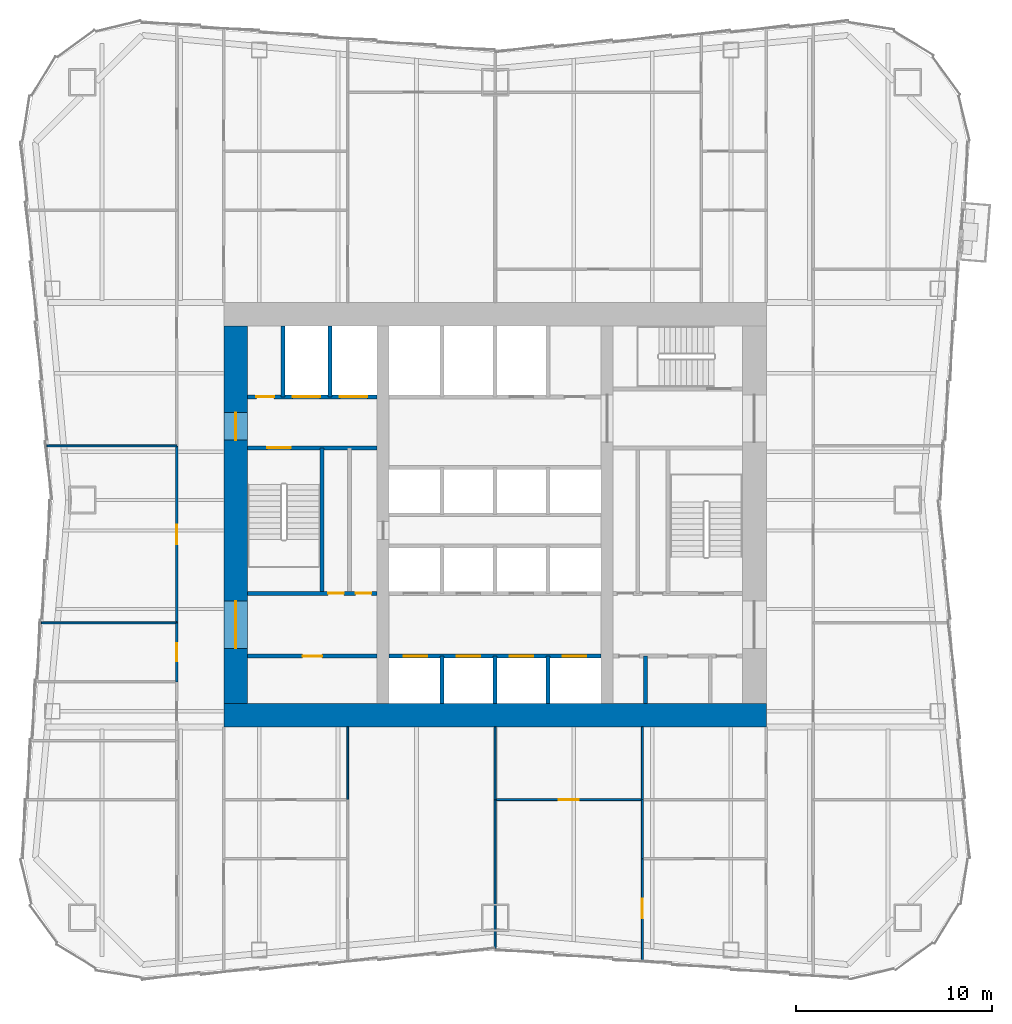
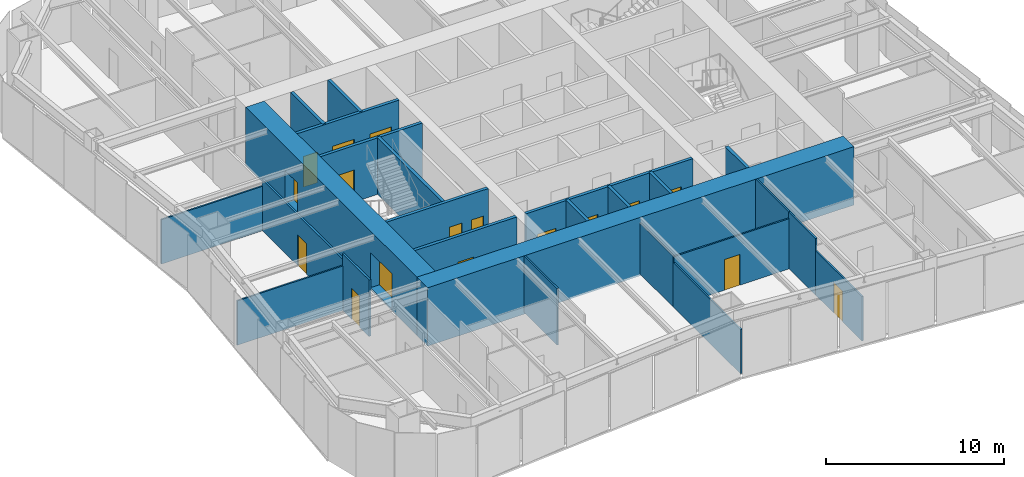
# One storey, part 4 of 9: 25 walls, 17 doors, 17 openings.
"""IFC4 building model written with IfcOpenShell, lengths in metres."""

import ifcopenshell
import ifcopenshell.guid

model = None  # the IFC model being written
_history = None  # IfcOwnerHistory: only IFC2X3 demands one
_inside = {}  # id of a spatial element -> (the spatial element, [elements in it])
_under = {}  # id of a project, library or spatial element -> (it, [spatial elements below it])
_declared = {}  # id of a project -> (the project, [libraries it declares])
_typed = {}  # id of a type object -> (the type object, [elements of that type])
_made_of = {}  # id of a material, layer set ... -> (it, [elements and type objects made of it])


def new_model(schema):
    """Start an empty IFC model of exactly this schema.

    Asked for "IFC4X3", IfcOpenShell would pick the latest addendum, in which some entities
    have other attributes; the version numbers below select the first issue.
    IFC2X3 requires an IfcOwnerHistory on every rooted entity: one is made here for all.
    """
    global model, _history
    if schema == "IFC4X3":
        model = ifcopenshell.file(schema_version=(4, 3, 0, 0))
    else:
        model = ifcopenshell.file(schema=schema)
    _inside.clear()
    _under.clear()
    _declared.clear()
    _typed.clear()
    _made_of.clear()
    _history = None
    if model.schema == "IFC2X3":
        org = make("IfcOrganization", Name="unknown")
        user = make(
            "IfcPersonAndOrganization",
            ThePerson=make("IfcPerson", FamilyName="unknown"),
            TheOrganization=org,
        )
        app = make(
            "IfcApplication",
            ApplicationDeveloper=org,
            Version="unknown",
            ApplicationFullName="unknown",
            ApplicationIdentifier="unknown",
        )
        _history = make(
            "IfcOwnerHistory",
            OwningUser=user,
            OwningApplication=app,
            ChangeAction="ADDED",
            CreationDate=0,
        )
    return model


def make(cls, **values):
    """One entity of the class cls with the attributes given. An attribute that is None is left unset."""
    return model.create_entity(
        cls, **{name: value for name, value in values.items() if value is not None}
    )


def rooted(cls, **values):
    """An entity with a GlobalId (a new one), such as an element, a storey or a relation."""
    return make(cls, GlobalId=ifcopenshell.guid.new(), OwnerHistory=_history, **values)


def si_unit(unit_type, name, prefix=None):
    """IfcSIUnit, for example si_unit("LENGTHUNIT", "METRE", prefix="MILLI")."""
    return make("IfcSIUnit", UnitType=unit_type, Prefix=prefix, Name=name)


def assignment(units):
    """IfcUnitAssignment: the units of a project."""
    return None if units is None else make("IfcUnitAssignment", Units=units)


def point(xyz):
    """IfcCartesianPoint."""
    return None if xyz is None else make("IfcCartesianPoint", Coordinates=xyz)


def direction(xyz):
    """IfcDirection."""
    return None if xyz is None else make("IfcDirection", DirectionRatios=xyz)


def frame(location, z_axis=None, x_axis=None):
    """IfcAxis2Placement3D, a coordinate frame: its origin and axes. An axis left out is left unset."""
    return make(
        "IfcAxis2Placement3D",
        Location=point(location),
        Axis=direction(z_axis),
        RefDirection=direction(x_axis),
    )


def frame_2d(location, x_axis=None):
    """IfcAxis2Placement2D, a coordinate frame in the plane: its origin and x axis."""
    return make(
        "IfcAxis2Placement2D", Location=point(location), RefDirection=direction(x_axis)
    )


def origin():
    """The frame at (0, 0, 0) with its axes left unset."""
    return frame((0.0, 0.0, 0.0))


def place(relative_to, where):
    """IfcLocalPlacement: puts the frame where relative to a parent placement (None: the world)."""
    return make(
        "IfcLocalPlacement", PlacementRelTo=relative_to, RelativePlacement=where
    )


def context(
    kind, dimensions, precision=None, world=None, true_north=None, identifier=None
):
    """IfcGeometricRepresentationContext, for example the 3D "Model" context."""
    return make(
        "IfcGeometricRepresentationContext",
        ContextIdentifier=identifier,
        ContextType=kind,
        CoordinateSpaceDimension=dimensions,
        Precision=precision,
        WorldCoordinateSystem=world,
        TrueNorth=true_north,
    )


def subcontext(parent, identifier, kind, view, scale=None):
    """IfcGeometricRepresentationSubContext, for example "Body" below "Model"."""
    return make(
        "IfcGeometricRepresentationSubContext",
        ContextIdentifier=identifier,
        ContextType=kind,
        ParentContext=parent,
        TargetScale=scale,
        TargetView=view,
    )


def project(units=None, contexts=None):
    """IfcProject with its units and contexts."""
    return rooted(
        "IfcProject",
        Name="project",
        RepresentationContexts=contexts,
        UnitsInContext=assignment(units),
    )


def spatial(cls, under=None, at=None, **own):
    """A site, building, storey or space (cls), placed at a placement, below another one or the project."""
    s = rooted(cls, ObjectPlacement=at, **own)
    if under is not None:
        _under.setdefault(under.id(), (under, []))[1].append(s)
    return s


def profile(cls, at=None, kind="AREA", **sizes):
    """A parametric profile (cls). Its sizes go by their IFC names, for example OverallWidth=200.0."""
    return make(cls, ProfileType=kind, Position=at, **sizes)


def rectangle(**sizes):
    """IfcRectangleProfileDef."""
    return profile("IfcRectangleProfileDef", **sizes)


def extrude(swept, where, along, depth):
    """IfcExtrudedAreaSolid: the profile swept, set in the frame where, extruded along a direction by depth."""
    return make(
        "IfcExtrudedAreaSolid",
        SweptArea=swept,
        Position=where,
        ExtrudedDirection=direction(along),
        Depth=depth,
    )


def shape(context_of_items, identifier, shape_type, items):
    """IfcShapeRepresentation: the items that make up one representation, for example the "Body"."""
    return make(
        "IfcShapeRepresentation",
        ContextOfItems=context_of_items,
        RepresentationIdentifier=identifier,
        RepresentationType=shape_type,
        Items=items,
    )


def material(Name=None, Category=None):
    """IfcMaterial."""
    return make("IfcMaterial", Name=Name, Category=Category)


def layer(
    of_material, thickness, ventilated=None, Name=None, Category=None, Priority=None
):
    """IfcMaterialLayer: one layer of a wall or slab, of a material (None: an air gap)."""
    return make(
        "IfcMaterialLayer",
        Material=of_material,
        LayerThickness=thickness,
        IsVentilated=ventilated,
        Name=Name,
        Category=Category,
        Priority=Priority,
    )


def layer_set(layers, Name=None):
    """IfcMaterialLayerSet."""
    return make("IfcMaterialLayerSet", MaterialLayers=layers, LayerSetName=Name)


def made_of(thing, what):
    """Note that an element or type object is made of a material, layer set ...; save() writes the relation."""
    if what is not None:
        _made_of.setdefault(what.id(), (what, []))[1].append(thing)
    return thing


def type_object(cls, material=None, **own):
    """A type object (cls), such as IfcWallType, which elements share."""
    return made_of(rooted(cls, **own), material)


def element(
    cls,
    number,
    at=None,
    inside=None,
    cuts=None,
    type_object=None,
    material=None,
    context=None,
    identifier="Body",
    shape_type=None,
    held_by="IfcProductDefinitionShape",
    body=None,
    shapes=None,
    **own,
):
    """One element of the class cls, such as IfcWall. Its Tag is "e" and its number.

    at: its placement. inside: the storey or other place that contains it. cuts: it is an
    opening in that element (IfcRelVoidsElement). A single representation is given by context,
    identifier, shape_type and body (its items); several are given by shapes. held_by: the class
    of the entity that holds the representations. save() writes the other relations.
    """
    e = rooted(cls, Tag="e%d" % number, ObjectPlacement=at, **own)
    if body is not None:
        shapes = [shape(context, identifier, shape_type, body)]
    if shapes is not None:
        e.Representation = make(held_by, Representations=shapes)
    if inside is not None:
        _inside.setdefault(inside.id(), (inside, []))[1].append(e)
    if cuts is not None:
        rooted(
            "IfcRelVoidsElement", RelatingBuildingElement=cuts, RelatedOpeningElement=e
        )
    if type_object is not None:
        _typed.setdefault(type_object.id(), (type_object, []))[1].append(e)
    return made_of(e, material)


def fill(opening, filler):
    """IfcRelFillsElement: the door or window that sits in an opening."""
    return rooted(
        "IfcRelFillsElement",
        RelatingOpeningElement=opening,
        RelatedBuildingElement=filler,
    )


def aggregate(whole, parts):
    """IfcRelAggregates: a whole, such as a stair, and the parts it consists of."""
    return rooted("IfcRelAggregates", RelatingObject=whole, RelatedObjects=parts)


def save(model, path):
    """Write the relations noted so far, then the file.

    IfcRelAggregates (storeys below a building ...), IfcRelContainedInSpatialStructure (elements
    in a storey), IfcRelDefinesByType, IfcRelAssociatesMaterial and IfcRelDeclares: one each for
    every whole, place, type object, material and project.
    """
    for whole, parts in _under.values():
        aggregate(whole, parts)
    for where, things in _inside.values():
        rooted(
            "IfcRelContainedInSpatialStructure",
            RelatedElements=things,
            RelatingStructure=where,
        )
    for kind, things in _typed.values():
        rooted("IfcRelDefinesByType", RelatedObjects=things, RelatingType=kind)
    for what, things in _made_of.values():
        rooted("IfcRelAssociatesMaterial", RelatedObjects=things, RelatingMaterial=what)
    for by, libraries in _declared.values():
        rooted("IfcRelDeclares", RelatingContext=by, RelatedDefinitions=libraries)
    model.write(path)


model = new_model("IFC4")

# Units and contexts
model_context = context("Model", 3, precision=1e-05, world=origin(), true_north=direction((0.0, 1.0)))
body_context = subcontext(model_context, "Body", "Model", "MODEL_VIEW")
ifc_project = project(units=[si_unit("LENGTHUNIT", "METRE"), si_unit("AREAUNIT", "SQUARE_METRE"), si_unit("VOLUMEUNIT", "CUBIC_METRE"), si_unit("PLANEANGLEUNIT", "RADIAN"), si_unit("MASSUNIT", "GRAM", prefix="KILO")], contexts=[model_context])

# Site, building, storey
site_placement = place(None, origin())
site = spatial("IfcSite", under=ifc_project, at=site_placement, CompositionType="ELEMENT")
building_placement = place(site_placement, origin())
building = spatial("IfcBuilding", under=site, at=building_placement, Name="Verdant Reach Tower", CompositionType="ELEMENT")
storey_placement = place(building_placement, frame((0.0, 0.0, 98.0)))
storey = spatial("IfcBuildingStorey", under=building, at=storey_placement, Name="L22", CompositionType="ELEMENT", Elevation=98.0)

# Wall, opening, door
ifc_material_1 = material(Name="Gypsum board on steel studs", Category="steel")
ifc_layer_1 = layer(ifc_material_1, 0.199951171875)
ifc_layer_set_1 = layer_set([ifc_layer_1], Name="CO-WALL-ROOM")
wall_type_1 = type_object("IfcWallType", Name="CO-WALL-ROOM", PredefinedType="PARTITIONING", material=ifc_layer_set_1)
wall_1_placement = place(storey_placement, frame((-12.60009765625, 20.800048828125, 0.0), z_axis=(0.0, 0.0, 1.0), x_axis=(1.0, 0.0, 0.0)))
wall_1 = element("IfcWall", 1, at=wall_1_placement, inside=storey, type_object=wall_type_1, Name="Core partition, L22", PredefinedType="PARTITIONING", context=body_context, shape_type="SweptSolid", body=[
    extrude(rectangle(XDim=6.60009765625, YDim=0.199951171875, at=frame_2d((3.300048828125, 0.0))), origin(), (0.0, 0.0, 1.0), 3.8701171875),
])
opening_1_placement = place(wall_1_placement, frame((2.800048828125, 0.0, 0.0)))
opening_1 = element("IfcOpeningElement", 2, at=opening_1_placement, cuts=wall_1, Name="Opening CD", PredefinedType="OPENING", context=body_context, shape_type="SweptSolid", body=[
    extrude(rectangle(XDim=1.0, YDim=2.10009765625, at=frame_2d((0.5, 1.050048828125))), frame((0.0, 0.10986328125, 0.0), z_axis=(0.0, -1.0, 0.0), x_axis=(1.0, 0.0, 0.0)), (0.0, 0.0, 1.0), 0.219970703125),
])
ifc_material_2 = material(Name="Timber", Category="wood")
door_type_1 = type_object("IfcDoorType", Name="CO-DOOR-ROOM", OperationType="NOTDEFINED", PredefinedType="DOOR", material=ifc_material_2)
door_1_placement = place(opening_1_placement, origin())
door_1 = element("IfcDoor", 3, at=door_1_placement, inside=storey, type_object=door_type_1, Name="Core room door, L22", OperationType="SINGLE_SWING_LEFT", OverallHeight=2.10009765625, OverallWidth=1.0, PredefinedType="DOOR", context=body_context, shape_type="SweptSolid", body=[
    extrude(rectangle(XDim=1.0, YDim=2.10009765625, at=frame_2d((0.5, 1.050048828125))), frame((0.0, 0.02490234375, 0.0), z_axis=(0.0, -1.0, 0.0), x_axis=(1.0, 0.0, 0.0)), (0.0, 0.0, 1.0), 0.050048828125),
])
fill(opening_1, door_1)

# Wall
wall_2_placement = place(storey_placement, frame((7.64990234375, 18.39990234375, 0.0), z_axis=(0.0, 0.0, 1.0), x_axis=(0.0, 1.0, 0.0)))
element("IfcWall", 4, at=wall_2_placement, inside=storey, type_object=wall_type_1, Name="Core partition, L22", PredefinedType="PARTITIONING", context=body_context, shape_type="SweptSolid", body=[
    extrude(rectangle(XDim=2.400146484375, YDim=0.199951171875, at=frame_2d((1.2001953125, 0.0))), origin(), (0.0, 0.0, 1.0), 3.8701171875),
])

# Wall, openings, doors
ifc_material_3 = material(Name="Concrete C40/50", Category="concrete")
ifc_layer_2 = layer(ifc_material_3, 0.199951171875)
ifc_layer_set_2 = layer_set([ifc_layer_2], Name="CO-WALL-SHAFT")
wall_type_2 = type_object("IfcWallType", Name="CO-WALL-SHAFT", PredefinedType="PARTITIONING", material=ifc_layer_set_2)
wall_3_placement = place(storey_placement, frame((-5.39990234375, 20.800048828125, 0.0), z_axis=(0.0, 0.0, 1.0), x_axis=(1.0, 0.0, 0.0)))
wall_3 = element("IfcWall", 5, at=wall_3_placement, inside=storey, type_object=wall_type_2, Name="Lift shaft wall, L22", PredefinedType="PARTITIONING", context=body_context, shape_type="SweptSolid", body=[
    extrude(rectangle(XDim=10.7998046875, YDim=0.199951171875, at=frame_2d((5.39990234375, 0.0))), origin(), (0.0, 0.0, 1.0), 3.8701171875),
])
opening_2_placement = place(wall_3_placement, frame((0.75, 0.0, 0.0)))
opening_2 = element("IfcOpeningElement", 6, at=opening_2_placement, cuts=wall_3, Name="Opening LD-A1", PredefinedType="OPENING", context=body_context, shape_type="SweptSolid", body=[
    extrude(rectangle(XDim=1.199951171875, YDim=2.199951171875, at=frame_2d((0.60009765625, 1.10009765625))), frame((0.0, 0.10986328125, 0.0), z_axis=(0.0, -1.0, 0.0), x_axis=(1.0, 0.0, 0.0)), (0.0, 0.0, 1.0), 0.219970703125),
])
opening_3_placement = place(wall_3_placement, frame((3.449951171875, 0.0, 0.0)))
opening_3 = element("IfcOpeningElement", 7, at=opening_3_placement, cuts=wall_3, Name="Opening LD-A2", PredefinedType="OPENING", context=body_context, shape_type="SweptSolid", body=[
    extrude(rectangle(XDim=1.199951171875, YDim=2.199951171875, at=frame_2d((0.60009765625, 1.10009765625))), frame((0.0, 0.10986328125, 0.0), z_axis=(0.0, -1.0, 0.0), x_axis=(1.0, 0.0, 0.0)), (0.0, 0.0, 1.0), 0.219970703125),
])
opening_4_placement = place(wall_3_placement, frame((6.14990234375, 0.0, 0.0)))
opening_4 = element("IfcOpeningElement", 8, at=opening_4_placement, cuts=wall_3, Name="Opening LD-A3", PredefinedType="OPENING", context=body_context, shape_type="SweptSolid", body=[
    extrude(rectangle(XDim=1.199951171875, YDim=2.199951171875, at=frame_2d((0.60009765625, 1.10009765625))), frame((0.0, 0.10986328125, 0.0), z_axis=(0.0, -1.0, 0.0), x_axis=(1.0, 0.0, 0.0)), (0.0, 0.0, 1.0), 0.219970703125),
])
opening_5_placement = place(wall_3_placement, frame((8.85009765625, 0.0, 0.0)))
opening_5 = element("IfcOpeningElement", 9, at=opening_5_placement, cuts=wall_3, Name="Opening LD-A4", PredefinedType="OPENING", context=body_context, shape_type="SweptSolid", body=[
    extrude(rectangle(XDim=1.199951171875, YDim=2.199951171875, at=frame_2d((0.60009765625, 1.10009765625))), frame((0.0, 0.10986328125, 0.0), z_axis=(0.0, -1.0, 0.0), x_axis=(1.0, 0.0, 0.0)), (0.0, 0.0, 1.0), 0.219970703125),
])
ifc_material_4 = material(Name="Stainless steel", Category="steel")
door_type_2 = type_object("IfcDoorType", Name="CO-DOOR-LANDING", OperationType="SLIDING_TO_LEFT", PredefinedType="DOOR", material=ifc_material_4)
door_2_placement = place(opening_2_placement, origin())
door_2 = element("IfcDoor", 10, at=door_2_placement, inside=storey, type_object=door_type_2, Name="Landing door A1, L22", OperationType="SLIDING_TO_LEFT", OverallHeight=2.199951171875, OverallWidth=1.199951171875, PredefinedType="DOOR", context=body_context, shape_type="SweptSolid", body=[
    extrude(rectangle(XDim=1.199951171875, YDim=2.199951171875, at=frame_2d((0.60009765625, 1.10009765625))), frame((0.0, 0.02490234375, 0.0), z_axis=(0.0, -1.0, 0.0), x_axis=(1.0, 0.0, 0.0)), (0.0, 0.0, 1.0), 0.050048828125),
])
fill(opening_2, door_2)
door_3_placement = place(opening_3_placement, origin())
door_3 = element("IfcDoor", 11, at=door_3_placement, inside=storey, type_object=door_type_2, Name="Landing door A2, L22", OperationType="SLIDING_TO_LEFT", OverallHeight=2.199951171875, OverallWidth=1.199951171875, PredefinedType="DOOR", context=body_context, shape_type="SweptSolid", body=[
    extrude(rectangle(XDim=1.199951171875, YDim=2.199951171875, at=frame_2d((0.60009765625, 1.10009765625))), frame((0.0, 0.02490234375, 0.0), z_axis=(0.0, -1.0, 0.0), x_axis=(1.0, 0.0, 0.0)), (0.0, 0.0, 1.0), 0.050048828125),
])
fill(opening_3, door_3)
door_4_placement = place(opening_4_placement, origin())
door_4 = element("IfcDoor", 12, at=door_4_placement, inside=storey, type_object=door_type_2, Name="Landing door A3, L22", OperationType="SLIDING_TO_LEFT", OverallHeight=2.199951171875, OverallWidth=1.199951171875, PredefinedType="DOOR", context=body_context, shape_type="SweptSolid", body=[
    extrude(rectangle(XDim=1.199951171875, YDim=2.199951171875, at=frame_2d((0.60009765625, 1.10009765625))), frame((0.0, 0.02490234375, 0.0), z_axis=(0.0, -1.0, 0.0), x_axis=(1.0, 0.0, 0.0)), (0.0, 0.0, 1.0), 0.050048828125),
])
fill(opening_4, door_4)
door_5_placement = place(opening_5_placement, origin())
door_5 = element("IfcDoor", 13, at=door_5_placement, inside=storey, type_object=door_type_2, Name="Landing door A4, L22", OperationType="SLIDING_TO_LEFT", OverallHeight=2.199951171875, OverallWidth=1.199951171875, PredefinedType="DOOR", context=body_context, shape_type="SweptSolid", body=[
    extrude(rectangle(XDim=1.199951171875, YDim=2.199951171875, at=frame_2d((0.60009765625, 1.10009765625))), frame((0.0, 0.02490234375, 0.0), z_axis=(0.0, -1.0, 0.0), x_axis=(1.0, 0.0, 0.0)), (0.0, 0.0, 1.0), 0.050048828125),
])
fill(opening_5, door_5)

wall_4_placement = place(storey_placement, frame((-12.60009765625, 34.0, 0.0), z_axis=(0.0, 0.0, 1.0), x_axis=(1.0, 0.0, 0.0)))
wall_4 = element("IfcWall", 14, at=wall_4_placement, inside=storey, type_object=wall_type_2, Name="Lift shaft wall, L22", PredefinedType="PARTITIONING", context=body_context, shape_type="SweptSolid", body=[
    extrude(rectangle(XDim=6.60009765625, YDim=0.199951171875, at=frame_2d((3.300048828125, 0.0))), origin(), (0.0, 0.0, 1.0), 3.8701171875),
])
opening_6_placement = place(wall_4_placement, frame((4.699951171875, 0.0, 0.0)))
opening_6 = element("IfcOpeningElement", 15, at=opening_6_placement, cuts=wall_4, Name="Opening LD-F1", PredefinedType="OPENING", context=body_context, shape_type="SweptSolid", body=[
    extrude(rectangle(XDim=1.39990234375, YDim=2.199951171875, at=frame_2d((0.699951171875, 1.10009765625))), frame((0.0, 0.10986328125, 0.0), z_axis=(0.0, -1.0, 0.0), x_axis=(1.0, 0.0, 0.0)), (0.0, 0.0, 1.0), 0.219970703125),
])
opening_7_placement = place(wall_4_placement, frame((2.300048828125, 0.0, 0.0)))
opening_7 = element("IfcOpeningElement", 16, at=opening_7_placement, cuts=wall_4, Name="Opening LD-F2", PredefinedType="OPENING", context=body_context, shape_type="SweptSolid", body=[
    extrude(rectangle(XDim=1.39990234375, YDim=2.199951171875, at=frame_2d((0.699951171875, 1.10009765625))), frame((0.0, 0.10986328125, 0.0), z_axis=(0.0, -1.0, 0.0), x_axis=(1.0, 0.0, 0.0)), (0.0, 0.0, 1.0), 0.219970703125),
])
opening_8_placement = place(wall_4_placement, frame((0.449951171875, 0.0, 0.0)))
opening_8 = element("IfcOpeningElement", 17, at=opening_8_placement, cuts=wall_4, Name="Opening RD", PredefinedType="OPENING", context=body_context, shape_type="SweptSolid", body=[
    extrude(rectangle(XDim=0.89990234375, YDim=2.10009765625, at=frame_2d((0.449951171875, 1.050048828125))), frame((0.0, 0.10986328125, 0.0), z_axis=(0.0, -1.0, 0.0), x_axis=(1.0, 0.0, 0.0)), (0.0, 0.0, 1.0), 0.219970703125),
])
door_type_3 = type_object("IfcDoorType", Name="CO-DOOR-LANDING-FF", OperationType="SLIDING_TO_LEFT", PredefinedType="DOOR", material=ifc_material_4)
door_6_placement = place(opening_6_placement, origin())
door_6 = element("IfcDoor", 18, at=door_6_placement, inside=storey, type_object=door_type_3, Name="Landing door F1, L22", OperationType="SLIDING_TO_LEFT", OverallHeight=2.199951171875, OverallWidth=1.39990234375, PredefinedType="DOOR", context=body_context, shape_type="SweptSolid", body=[
    extrude(rectangle(XDim=1.39990234375, YDim=2.199951171875, at=frame_2d((0.699951171875, 1.10009765625))), frame((0.0, 0.02490234375, 0.0), z_axis=(0.0, -1.0, 0.0), x_axis=(1.0, 0.0, 0.0)), (0.0, 0.0, 1.0), 0.050048828125),
])
fill(opening_6, door_6)
door_7_placement = place(opening_7_placement, origin())
door_7 = element("IfcDoor", 19, at=door_7_placement, inside=storey, type_object=door_type_3, Name="Landing door F2, L22", OperationType="SLIDING_TO_LEFT", OverallHeight=2.199951171875, OverallWidth=1.39990234375, PredefinedType="DOOR", context=body_context, shape_type="SweptSolid", body=[
    extrude(rectangle(XDim=1.39990234375, YDim=2.199951171875, at=frame_2d((0.699951171875, 1.10009765625))), frame((0.0, 0.02490234375, 0.0), z_axis=(0.0, -1.0, 0.0), x_axis=(1.0, 0.0, 0.0)), (0.0, 0.0, 1.0), 0.050048828125),
])
fill(opening_7, door_7)
ifc_material_5 = material(Name="Steel", Category="steel")
door_type_4 = type_object("IfcDoorType", Name="CO-DOOR-RISER", OperationType="NOTDEFINED", PredefinedType="DOOR", material=ifc_material_5)
door_8_placement = place(opening_8_placement, origin())
door_8 = element("IfcDoor", 20, at=door_8_placement, inside=storey, type_object=door_type_4, Name="Core room door, L22", OperationType="SINGLE_SWING_RIGHT", OverallHeight=2.10009765625, OverallWidth=0.89990234375, PredefinedType="DOOR", context=body_context, shape_type="SweptSolid", body=[
    extrude(rectangle(XDim=0.89990234375, YDim=2.10009765625, at=frame_2d((0.449951171875, 1.050048828125))), frame((0.0, 0.02490234375, 0.0), z_axis=(0.0, -1.0, 0.0), x_axis=(1.0, 0.0, 0.0)), (0.0, 0.0, 1.0), 0.050048828125),
])
fill(opening_8, door_8)

# Walls
for number, where, z_axis, x_axis, name in (
    (21, (-10.800048828125, 34.0, 0.0), (0.0, 0.0, 1.0), (0.0, 1.0, 0.0), "Lift shaft wall, L22"),
    (22, (-8.39990234375, 34.0, 0.0), (0.0, 0.0, 1.0), (0.0, 1.0, 0.0), "Lift shaft wall, L22"),
):
    element("IfcWall", number, at=place(storey_placement, frame(where, z_axis=z_axis, x_axis=x_axis)), inside=storey, type_object=wall_type_2, Name=name, PredefinedType="PARTITIONING", context=body_context, shape_type="SweptSolid", body=[
        extrude(rectangle(XDim=3.60009765625, YDim=0.199951171875, at=frame_2d((1.800048828125, 0.0))), origin(), (0.0, 0.0, 1.0), 3.8701171875),
    ])
for number, where, z_axis, x_axis, name in (
    (23, (-2.699951171875, 18.39990234375, 0.0), (0.0, 0.0, 1.0), (0.0, 1.0, 0.0), "Lift shaft wall, L22"),
    (24, (0.0, 18.39990234375, 0.0), (0.0, 0.0, 1.0), (0.0, 1.0, 0.0), "Lift shaft wall, L22"),
    (25, (2.699951171875, 18.39990234375, 0.0), (0.0, 0.0, 1.0), (0.0, 1.0, 0.0), "Lift shaft wall, L22"),
):
    element("IfcWall", number, at=place(storey_placement, frame(where, z_axis=z_axis, x_axis=x_axis)), inside=storey, type_object=wall_type_2, Name=name, PredefinedType="PARTITIONING", context=body_context, shape_type="SweptSolid", body=[
        extrude(rectangle(XDim=2.400146484375, YDim=0.199951171875, at=frame_2d((1.2001953125, 0.0))), origin(), (0.0, 0.0, 1.0), 3.8701171875),
    ])

# Wall, openings, doors
ifc_layer_3 = layer(ifc_material_3, 0.199951171875)
ifc_layer_set_3 = layer_set([ifc_layer_3], Name="CO-WALL-STAIR")
wall_type_3 = type_object("IfcWallType", Name="CO-WALL-STAIR", PredefinedType="PARTITIONING", material=ifc_layer_set_3)
wall_5_placement = place(storey_placement, frame((-12.60009765625, 24.0, 0.0), z_axis=(0.0, 0.0, 1.0), x_axis=(1.0, 0.0, 0.0)))
wall_5 = element("IfcWall", 26, at=wall_5_placement, inside=storey, type_object=wall_type_3, Name="Stair enclosure wall, L22", PredefinedType="PARTITIONING", context=body_context, shape_type="SweptSolid", body=[
    extrude(rectangle(XDim=6.60009765625, YDim=0.199951171875, at=frame_2d((3.300048828125, 0.0))), origin(), (0.0, 0.0, 1.0), 3.8701171875),
])
opening_9_placement = place(wall_5_placement, frame((4.10009765625, 0.0, 0.0)))
opening_9 = element("IfcOpeningElement", 27, at=opening_9_placement, cuts=wall_5, Name="Opening CDN", PredefinedType="OPENING", context=body_context, shape_type="SweptSolid", body=[
    extrude(rectangle(XDim=0.800048828125, YDim=2.10009765625, at=frame_2d((0.39990234375, 1.050048828125))), frame((0.0, 0.10986328125, 0.0), z_axis=(0.0, -1.0, 0.0), x_axis=(1.0, 0.0, 0.0)), (0.0, 0.0, 1.0), 0.219970703125),
])
opening_10_placement = place(wall_5_placement, frame((5.5, 0.0, 0.0)))
opening_10 = element("IfcOpeningElement", 28, at=opening_10_placement, cuts=wall_5, Name="Opening CDN", PredefinedType="OPENING", context=body_context, shape_type="SweptSolid", body=[
    extrude(rectangle(XDim=0.800048828125, YDim=2.10009765625, at=frame_2d((0.39990234375, 1.050048828125))), frame((0.0, 0.10986328125, 0.0), z_axis=(0.0, -1.0, 0.0), x_axis=(1.0, 0.0, 0.0)), (0.0, 0.0, 1.0), 0.219970703125),
])
door_type_5 = type_object("IfcDoorType", Name="CO-DOOR-ROOM-NARROW", OperationType="NOTDEFINED", PredefinedType="DOOR", material=ifc_material_2)
door_9_placement = place(opening_9_placement, origin())
door_9 = element("IfcDoor", 29, at=door_9_placement, inside=storey, type_object=door_type_5, Name="Core room door, L22", OperationType="SINGLE_SWING_LEFT", OverallHeight=2.10009765625, OverallWidth=0.800048828125, PredefinedType="DOOR", context=body_context, shape_type="SweptSolid", body=[
    extrude(rectangle(XDim=0.800048828125, YDim=2.10009765625, at=frame_2d((0.39990234375, 1.050048828125))), frame((0.0, 0.02490234375, 0.0), z_axis=(0.0, -1.0, 0.0), x_axis=(1.0, 0.0, 0.0)), (0.0, 0.0, 1.0), 0.050048828125),
])
fill(opening_9, door_9)
door_10_placement = place(opening_10_placement, origin())
door_10 = element("IfcDoor", 30, at=door_10_placement, inside=storey, type_object=door_type_5, Name="Core room door, L22", OperationType="SINGLE_SWING_RIGHT", OverallHeight=2.10009765625, OverallWidth=0.800048828125, PredefinedType="DOOR", context=body_context, shape_type="SweptSolid", body=[
    extrude(rectangle(XDim=0.800048828125, YDim=2.10009765625, at=frame_2d((0.39990234375, 1.050048828125))), frame((0.0, 0.02490234375, 0.0), z_axis=(0.0, -1.0, 0.0), x_axis=(1.0, 0.0, 0.0)), (0.0, 0.0, 1.0), 0.050048828125),
])
fill(opening_10, door_10)

# Wall, opening, door
wall_6_placement = place(storey_placement, frame((-12.60009765625, 31.39990234375, 0.0), z_axis=(0.0, 0.0, 1.0), x_axis=(1.0, 0.0, 0.0)))
wall_6 = element("IfcWall", 31, at=wall_6_placement, inside=storey, type_object=wall_type_3, Name="Stair enclosure wall, L22", PredefinedType="PARTITIONING", context=body_context, shape_type="SweptSolid", body=[
    extrude(rectangle(XDim=6.60009765625, YDim=0.199951171875, at=frame_2d((3.300048828125, 0.0))), origin(), (0.0, 0.0, 1.0), 3.8701171875),
])
opening_11_placement = place(wall_6_placement, frame((1.0, 0.0, 0.0)))
opening_11 = element("IfcOpeningElement", 32, at=opening_11_placement, cuts=wall_6, Name="Opening SD", PredefinedType="OPENING", context=body_context, shape_type="SweptSolid", body=[
    extrude(rectangle(XDim=1.199951171875, YDim=2.199951171875, at=frame_2d((0.60009765625, 1.10009765625))), frame((0.0, 0.10986328125, 0.0), z_axis=(0.0, -1.0, 0.0), x_axis=(1.0, 0.0, 0.0)), (0.0, 0.0, 1.0), 0.219970703125),
])
door_type_6 = type_object("IfcDoorType", Name="CO-DOOR-STAIR", OperationType="NOTDEFINED", PredefinedType="DOOR", material=ifc_material_5)
door_11_placement = place(opening_11_placement, origin())
door_11 = element("IfcDoor", 33, at=door_11_placement, inside=storey, type_object=door_type_6, Name="Stair door, L22", OperationType="SINGLE_SWING_RIGHT", OverallHeight=2.199951171875, OverallWidth=1.199951171875, PredefinedType="DOOR", context=body_context, shape_type="SweptSolid", body=[
    extrude(rectangle(XDim=1.199951171875, YDim=2.199951171875, at=frame_2d((0.60009765625, 1.10009765625))), frame((0.0, 0.02490234375, 0.0), z_axis=(0.0, -1.0, 0.0), x_axis=(1.0, 0.0, 0.0)), (0.0, 0.0, 1.0), 0.050048828125),
])
fill(opening_11, door_11)

# Walls
wall_7_placement = place(storey_placement, frame((-8.800048828125, 24.0, 0.0), z_axis=(0.0, 0.0, 1.0), x_axis=(0.0, 1.0, 0.0)))
element("IfcWall", 34, at=wall_7_placement, inside=storey, type_object=wall_type_3, Name="Stair enclosure wall, L22", PredefinedType="PARTITIONING", context=body_context, shape_type="SweptSolid", body=[
    extrude(rectangle(XDim=7.39990234375, YDim=0.199951171875, at=frame_2d((3.699951171875, 0.0))), origin(), (0.0, 0.0, 1.0), 3.8701171875),
])
ifc_layer_4 = layer(ifc_material_1, 0.10009765625)
ifc_layer_set_4 = layer_set([ifc_layer_4], Name="FL-W1 Partition 100")
wall_type_4 = type_object("IfcWallType", Name="FL-W1 Partition 100", PredefinedType="PARTITIONING", material=ifc_layer_set_4)
wall_8_placement = place(storey_placement, frame((-16.199951171875, 22.5, 0.0), z_axis=(0.0, 0.0, 1.0), x_axis=(-1.0, 0.0, 0.0)))
element("IfcWall", 35, at=wall_8_placement, inside=storey, type_object=wall_type_4, Name="Partition 22.28", PredefinedType="PARTITIONING", context=body_context, shape_type="SweptSolid", body=[
    extrude(rectangle(XDim=6.893798828125, YDim=0.10009765625, at=frame_2d((3.44677734375, 0.0))), origin(), (0.0, 0.0, 1.0), 3.0400390625),
])
wall_9_placement = place(storey_placement, frame((-16.199951171875, 31.5, 0.0), z_axis=(0.0, 0.0, 1.0), x_axis=(-1.0, 0.0, 0.0)))
element("IfcWall", 36, at=wall_9_placement, inside=storey, type_object=wall_type_4, Name="Partition 22.29", PredefinedType="PARTITIONING", context=body_context, shape_type="SweptSolid", body=[
    extrude(rectangle(XDim=6.60595703125, YDim=0.10009765625, at=frame_2d((3.302978515625, 0.0))), origin(), (0.0, 0.0, 1.0), 3.0400390625),
])
wall_10_placement = place(storey_placement, frame((-7.5, 13.49609375, 0.0), z_axis=(0.0, 0.0, 1.0), x_axis=(0.0, 1.0, 0.0)))
element("IfcWall", 37, at=wall_10_placement, inside=storey, type_object=wall_type_4, Name="Partition 22.39", PredefinedType="PARTITIONING", context=body_context, shape_type="SweptSolid", body=[
    extrude(rectangle(XDim=3.703857421875, YDim=0.10009765625, at=frame_2d((1.85205078125, 0.0))), origin(), (0.0, 0.0, 1.0), 3.8701171875),
])
wall_11_placement = place(storey_placement, frame((0.0, 5.919921875, 0.0), z_axis=(0.0, 0.0, 1.0), x_axis=(0.0, 1.0, 0.0)))
element("IfcWall", 38, at=wall_11_placement, inside=storey, type_object=wall_type_4, Name="Partition 22.40", PredefinedType="PARTITIONING", context=body_context, shape_type="SweptSolid", body=[
    extrude(rectangle(XDim=7.580078125, YDim=0.10009765625, at=frame_2d((3.7900390625, 0.0))), origin(), (0.0, 0.0, 1.0), 3.0400390625),
])
wall_12_placement = place(storey_placement, frame((0.0, 13.5, 0.0), z_axis=(0.0, 0.0, 1.0), x_axis=(0.0, 1.0, 0.0)))
element("IfcWall", 39, at=wall_12_placement, inside=storey, type_object=wall_type_4, Name="Partition 22.41", PredefinedType="PARTITIONING", context=body_context, shape_type="SweptSolid", body=[
    extrude(rectangle(XDim=3.699951171875, YDim=0.10009765625, at=frame_2d((1.85009765625, 0.0))), origin(), (0.0, 0.0, 1.0), 3.47998046875),
])

# Wall, opening, door
wall_13_placement = place(storey_placement, frame((7.5, 5.294921875, 0.0), z_axis=(0.0, 0.0, 1.0), x_axis=(0.0, 1.0, 0.0)))
wall_13 = element("IfcWall", 40, at=wall_13_placement, inside=storey, type_object=wall_type_4, Name="Partition 22.43", PredefinedType="PARTITIONING", context=body_context, shape_type="SweptSolid", body=[
    extrude(rectangle(XDim=5.208984375, YDim=0.10009765625, at=frame_2d((2.6044921875, 0.0))), origin(), (0.0, 0.0, 1.0), 3.0400390625),
])
opening_12_placement = place(wall_13_placement, frame((2.169677734375, 0.0, 0.0)))
opening_12 = element("IfcOpeningElement", 41, at=opening_12_placement, cuts=wall_13, Name="Opening D3", PredefinedType="OPENING", context=body_context, shape_type="SweptSolid", body=[
    extrude(rectangle(XDim=1.0, YDim=2.10009765625, at=frame_2d((0.5, 1.050048828125))), frame((0.0, 0.06005859375, 0.0), z_axis=(0.0, -1.0, 0.0), x_axis=(1.0, 0.0, 0.0)), (0.0, 0.0, 1.0), 0.1201171875),
])
ifc_material_6 = material(Name="Painted timber door leaf", Category="wood")
door_type_7 = type_object("IfcDoorType", Name="FL-D3 Door 1000x2100", OperationType="NOTDEFINED", PredefinedType="DOOR", material=ifc_material_6)
door_12_placement = place(opening_12_placement, origin())
door_12 = element("IfcDoor", 42, at=door_12_placement, inside=storey, type_object=door_type_7, Name="Door 22-023", OperationType="SINGLE_SWING_RIGHT", OverallHeight=2.10009765625, OverallWidth=1.0, PredefinedType="DOOR", context=body_context, shape_type="SweptSolid", body=[
    extrude(rectangle(XDim=1.0, YDim=2.10009765625, at=frame_2d((0.5, 1.050048828125))), frame((0.0, 0.02490234375, 0.0), z_axis=(0.0, -1.0, 0.0), x_axis=(1.0, 0.0, 0.0)), (0.0, 0.0, 1.0), 0.050048828125),
])
fill(opening_12, door_12)

# Walls
wall_14_placement = place(storey_placement, frame((7.5, 13.5, 0.0), z_axis=(0.0, 0.0, 1.0), x_axis=(0.0, -1.0, 0.0)))
element("IfcWall", 43, at=wall_14_placement, inside=storey, type_object=wall_type_4, Name="Partition 22.45", PredefinedType="PARTITIONING", context=body_context, shape_type="SweptSolid", body=[
    extrude(rectangle(XDim=3.00390625, YDim=0.10009765625, at=frame_2d((1.501953125, 0.0))), origin(), (0.0, 0.0, 1.0), 3.8701171875),
])
wall_15_placement = place(storey_placement, frame((7.5, 17.199951171875, 0.0), z_axis=(0.0, 0.0, 1.0), x_axis=(0.0, -1.0, 0.0)))
element("IfcWall", 44, at=wall_15_placement, inside=storey, type_object=wall_type_4, Name="Partition 22.46", PredefinedType="PARTITIONING", context=body_context, shape_type="SweptSolid", body=[
    extrude(rectangle(XDim=3.699951171875, YDim=0.10009765625, at=frame_2d((1.85009765625, 0.0))), origin(), (0.0, 0.0, 1.0), 3.8701171875),
])

# Wall, opening, door
wall_16_placement = place(storey_placement, frame((0.0, 13.5, 0.0), z_axis=(0.0, 0.0, 1.0), x_axis=(1.0, 0.0, 0.0)))
wall_16 = element("IfcWall", 45, at=wall_16_placement, inside=storey, type_object=wall_type_4, Name="Partition 22.47", PredefinedType="PARTITIONING", context=body_context, shape_type="SweptSolid", body=[
    extrude(rectangle(XDim=7.5, YDim=0.10009765625, at=frame_2d((3.75, 0.0))), origin(), (0.0, 0.0, 1.0), 3.43994140625),
])
opening_13_placement = place(wall_16_placement, frame((3.25, 0.0, 0.0)))
opening_13 = element("IfcOpeningElement", 46, at=opening_13_placement, cuts=wall_16, Name="Opening D3", PredefinedType="OPENING", context=body_context, shape_type="SweptSolid", body=[
    extrude(rectangle(XDim=1.0, YDim=2.10009765625, at=frame_2d((0.5, 1.050048828125))), frame((0.0, 0.06005859375, 0.0), z_axis=(0.0, -1.0, 0.0), x_axis=(1.0, 0.0, 0.0)), (0.0, 0.0, 1.0), 0.1201171875),
])
door_13_placement = place(opening_13_placement, origin())
door_13 = element("IfcDoor", 47, at=door_13_placement, inside=storey, type_object=door_type_7, Name="Door 22-024", OperationType="SINGLE_SWING_RIGHT", OverallHeight=2.10009765625, OverallWidth=1.0, PredefinedType="DOOR", context=body_context, shape_type="SweptSolid", body=[
    extrude(rectangle(XDim=1.0, YDim=2.10009765625, at=frame_2d((0.5, 1.050048828125))), frame((0.0, 0.02490234375, 0.0), z_axis=(0.0, -1.0, 0.0), x_axis=(1.0, 0.0, 0.0)), (0.0, 0.0, 1.0), 0.050048828125),
])
fill(opening_13, door_13)

ifc_material_7 = material(Name="Gypsum board on steel studs, fire rated", Category="steel")
ifc_layer_5 = layer(ifc_material_7, 0.125)
ifc_layer_set_5 = layer_set([ifc_layer_5], Name="FL-W2 Corridor wall 125")
wall_type_5 = type_object("IfcWallType", Name="FL-W2 Corridor wall 125", PredefinedType="PARTITIONING", material=ifc_layer_set_5)
wall_17_placement = place(storey_placement, frame((-16.199951171875, 19.5, 0.0), z_axis=(0.0, 0.0, 1.0), x_axis=(0.0, 1.0, 0.0)))
wall_17 = element("IfcWall", 48, at=wall_17_placement, inside=storey, type_object=wall_type_5, Name="Partition 22.04", PredefinedType="PARTITIONING", context=body_context, shape_type="SweptSolid", body=[
    extrude(rectangle(XDim=3.0, YDim=0.125, at=frame_2d((1.5, 0.0))), origin(), (0.0, 0.0, 1.0), 3.8701171875),
])
opening_14_placement = place(wall_17_placement, frame((1.050048828125, 0.0, 0.0)))
opening_14 = element("IfcOpeningElement", 49, at=opening_14_placement, cuts=wall_17, Name="Opening D1", PredefinedType="OPENING", context=body_context, shape_type="SweptSolid", body=[
    extrude(rectangle(XDim=0.89990234375, YDim=2.10009765625, at=frame_2d((0.449951171875, 1.050048828125))), frame((0.0, 0.072509765625, 0.0), z_axis=(0.0, -1.0, 0.0), x_axis=(1.0, 0.0, 0.0)), (0.0, 0.0, 1.0), 0.14501953125),
])
door_type_8 = type_object("IfcDoorType", Name="FL-D1 Door 900x2100", OperationType="NOTDEFINED", PredefinedType="DOOR", material=ifc_material_6)
door_14_placement = place(opening_14_placement, origin())
door_14 = element("IfcDoor", 50, at=door_14_placement, inside=storey, type_object=door_type_8, Name="Door 22-004", OperationType="SINGLE_SWING_RIGHT", OverallHeight=2.10009765625, OverallWidth=0.89990234375, PredefinedType="DOOR", context=body_context, shape_type="SweptSolid", body=[
    extrude(rectangle(XDim=0.89990234375, YDim=2.10009765625, at=frame_2d((0.449951171875, 1.050048828125))), frame((0.0, 0.02490234375, 0.0), z_axis=(0.0, -1.0, 0.0), x_axis=(1.0, 0.0, 0.0)), (0.0, 0.0, 1.0), 0.050048828125),
])
fill(opening_14, door_14)

wall_18_placement = place(storey_placement, frame((-16.199951171875, 22.5, 0.0), z_axis=(0.0, 0.0, 1.0), x_axis=(0.0, 1.0, 0.0)))
wall_18 = element("IfcWall", 51, at=wall_18_placement, inside=storey, type_object=wall_type_5, Name="Partition 22.05", PredefinedType="PARTITIONING", context=body_context, shape_type="SweptSolid", body=[
    extrude(rectangle(XDim=9.0, YDim=0.125, at=frame_2d((4.5, 0.0))), origin(), (0.0, 0.0, 1.0), 3.47998046875),
])
opening_15_placement = place(wall_18_placement, frame((4.0, 0.0, 0.0)))
opening_15 = element("IfcOpeningElement", 52, at=opening_15_placement, cuts=wall_18, Name="Opening D2", PredefinedType="OPENING", context=body_context, shape_type="SweptSolid", body=[
    extrude(rectangle(XDim=1.0, YDim=2.10009765625, at=frame_2d((0.5, 1.050048828125))), frame((0.0, 0.072509765625, 0.0), z_axis=(0.0, -1.0, 0.0), x_axis=(1.0, 0.0, 0.0)), (0.0, 0.0, 1.0), 0.14501953125),
])
ifc_material_8 = material(Name="Timber door leaf, fire rated", Category="wood")
door_type_9 = type_object("IfcDoorType", Name="FL-D2 Entrance door 1000x2100 FD30", OperationType="NOTDEFINED", PredefinedType="DOOR", material=ifc_material_8)
door_15_placement = place(opening_15_placement, origin())
door_15 = element("IfcDoor", 53, at=door_15_placement, inside=storey, type_object=door_type_9, Name="Door 22-005", OperationType="SINGLE_SWING_LEFT", OverallHeight=2.10009765625, OverallWidth=1.0, PredefinedType="DOOR", context=body_context, shape_type="SweptSolid", body=[
    extrude(rectangle(XDim=1.0, YDim=2.10009765625, at=frame_2d((0.5, 1.050048828125))), frame((0.0, 0.02490234375, 0.0), z_axis=(0.0, -1.0, 0.0), x_axis=(1.0, 0.0, 0.0)), (0.0, 0.0, 1.0), 0.050048828125),
])
fill(opening_15, door_15)

# Wall
ifc_material_9 = material(Name="Concrete C70/85", Category="concrete")
ifc_layer_6 = layer(ifc_material_9, 1.199951171875)
ifc_layer_set_6 = layer_set([ifc_layer_6], Name="ST-CORE-WALL-1200")
wall_type_6 = type_object("IfcWallType", Name="ST-CORE-WALL-1200", PredefinedType="SHEAR", material=ifc_layer_set_6)
wall_19_placement = place(storey_placement, frame((-13.800048828125, 17.800048828125, -0.1298828125), z_axis=(0.0, 0.0, 1.0), x_axis=(1.0, 0.0, 0.0)))
element("IfcWall", 54, at=wall_19_placement, inside=storey, type_object=wall_type_6, Name="Core wall S, L22", PredefinedType="SHEAR", context=body_context, shape_type="SweptSolid", body=[
    extrude(rectangle(XDim=27.60009765625, YDim=1.199951171875, at=frame_2d((13.800048828125, 0.0))), origin(), (0.0, 0.0, 1.0), 4.0),
])

# Wall, openings, doors
wall_20_placement = place(storey_placement, frame((-13.199951171875, 18.39990234375, -0.1298828125), z_axis=(0.0, 0.0, 1.0), x_axis=(0.0, 1.0, 0.0)))
wall_20 = element("IfcWall", 55, at=wall_20_placement, inside=storey, type_object=wall_type_6, Name="Core wall W, L22", PredefinedType="SHEAR", context=body_context, shape_type="SweptSolid", body=[
    extrude(rectangle(XDim=19.2001953125, YDim=1.199951171875, at=frame_2d((9.60009765625, 0.0))), origin(), (0.0, 0.0, 1.0), 4.0),
])
opening_16_placement = place(wall_20_placement, frame((2.800048828125, 0.0, 0.1298828125)))
opening_16 = element("IfcOpeningElement", 56, at=opening_16_placement, cuts=wall_20, Name="Opening LB", PredefinedType="OPENING", context=body_context, shape_type="SweptSolid", body=[
    extrude(rectangle(XDim=2.39990234375, YDim=2.39990234375, at=frame_2d((1.199951171875, 1.199951171875))), frame((0.0, 0.60986328125, 0.0), z_axis=(0.0, -1.0, 0.0), x_axis=(1.0, 0.0, 0.0)), (0.0, 0.0, 1.0), 1.219970703125),
])
opening_17_placement = place(wall_20_placement, frame((13.39990234375, 0.0, 0.1298828125)))
opening_17 = element("IfcOpeningElement", 57, at=opening_17_placement, cuts=wall_20, Name="Opening FL", PredefinedType="OPENING", context=body_context, shape_type="SweptSolid", body=[
    extrude(rectangle(XDim=1.39990234375, YDim=2.199951171875, at=frame_2d((0.699951171875, 1.10009765625))), frame((0.0, 0.60986328125, 0.0), z_axis=(0.0, -1.0, 0.0), x_axis=(1.0, 0.0, 0.0)), (0.0, 0.0, 1.0), 1.219970703125),
])
door_type_10 = type_object("IfcDoorType", Name="CO-DOOR-FFL", OperationType="NOTDEFINED", PredefinedType="DOOR", material=ifc_material_5)
door_16_placement = place(opening_17_placement, origin())
door_16 = element("IfcDoor", 58, at=door_16_placement, inside=storey, type_object=door_type_10, Name="Core entrance door, L22", OperationType="SINGLE_SWING_RIGHT", OverallHeight=2.199951171875, OverallWidth=1.39990234375, PredefinedType="DOOR", context=body_context, shape_type="SweptSolid", body=[
    extrude(rectangle(XDim=1.39990234375, YDim=2.199951171875, at=frame_2d((0.699951171875, 1.10009765625))), frame((0.0, 0.02490234375, 0.0), z_axis=(0.0, -1.0, 0.0), x_axis=(1.0, 0.0, 0.0)), (0.0, 0.0, 1.0), 0.050048828125),
])
fill(opening_17, door_16)
ifc_material_10 = material(Name="Glass and steel", Category="steel")
door_type_11 = type_object("IfcDoorType", Name="CO-DOOR-LOBBY", OperationType="DOUBLE_DOOR_SINGLE_SWING", PredefinedType="DOOR", material=ifc_material_10)
door_17_placement = place(opening_16_placement, origin())
door_17 = element("IfcDoor", 59, at=door_17_placement, inside=storey, type_object=door_type_11, Name="Core entrance door, L22", OperationType="DOUBLE_DOOR_SINGLE_SWING", OverallHeight=2.39990234375, OverallWidth=2.39990234375, PredefinedType="DOOR", context=body_context, shape_type="SweptSolid", body=[
    extrude(rectangle(XDim=2.39990234375, YDim=2.39990234375, at=frame_2d((1.199951171875, 1.199951171875))), frame((0.0, 0.02490234375, 0.0), z_axis=(0.0, -1.0, 0.0), x_axis=(1.0, 0.0, 0.0)), (0.0, 0.0, 1.0), 0.050048828125),
])
fill(opening_16, door_17)

save(model, "model.ifc")
